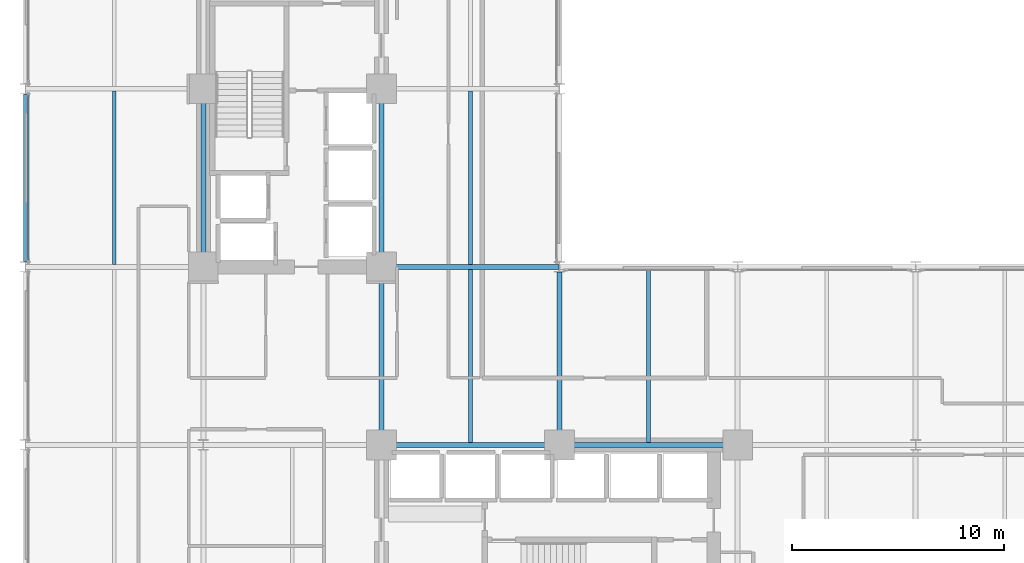
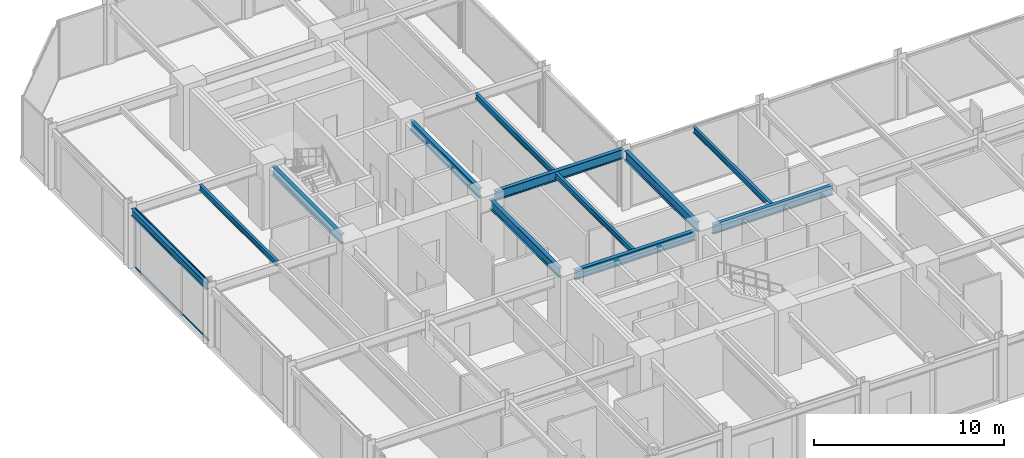
# One storey, part 9 of 26: 12 beams, 2 members, 1 element without a shape of its own.
"""IFC4 building model written with IfcOpenShell, lengths in metres."""

from ifc_helpers import new_model, si_unit, direction, frame, origin, origin_2d, place, context, subcontext, project, spatial, hollow_rectangle, i_section, extrude, material, layer, layer_set, material_profile, profile_set, type_object, element, aggregate, save


model = new_model("IFC4")

# Units and contexts
model_context = context("Model", 3, precision=1e-05, world=origin(), true_north=direction((0.0, 1.0)))
body_context = subcontext(model_context, "Body", "Model", "MODEL_VIEW")
ifc_project = project(units=[si_unit("LENGTHUNIT", "METRE"), si_unit("AREAUNIT", "SQUARE_METRE"), si_unit("VOLUMEUNIT", "CUBIC_METRE"), si_unit("PLANEANGLEUNIT", "RADIAN"), si_unit("MASSUNIT", "GRAM", prefix="KILO")], contexts=[model_context])

# Site, building, storey
site_placement = place(None, origin())
site = spatial("IfcSite", under=ifc_project, at=site_placement, CompositionType="ELEMENT")
building_placement = place(site_placement, origin())
building = spatial("IfcBuilding", under=site, at=building_placement, Name="Nerrivon Quay Data Exchange", CompositionType="ELEMENT")
storey_placement = place(building_placement, frame((0.0, 0.0, 75.199951171875)))
storey = spatial("IfcBuildingStorey", under=building, at=storey_placement, Name="L17", CompositionType="ELEMENT", Elevation=75.199951171875)

# Beams
ifc_material_1 = material(Name="Steel Grade 350", Category="steel")
ifc_material_profile_1 = material_profile(ifc_material_1, i_section(OverallWidth=0.22900390625, OverallDepth=0.612060546875, WebThickness=0.011962890625, FlangeThickness=0.01953125, FilletRadius=0.013916015625, at=origin_2d()), Name="610UB125")
ifc_profile_set_1 = profile_set([ifc_material_profile_1], Name="Steel Grade 350")
beam_type_1 = type_object("IfcBeamType", Name="BM-G1-610UB125", PredefinedType="BEAM", material=ifc_profile_set_1)
beam_1_placement = place(storey_placement, frame((17.340087890625, 16.800048828125, 3.5439453125), z_axis=(1.0, 0.0, 0.0), x_axis=(0.0, 1.0, 0.0)))
element("IfcBeam", 1, at=beam_1_placement, inside=storey, type_object=beam_type_1, Name="L17 EW Girder Y=16.8 (16.8..25.2)", PredefinedType="BEAM", context=body_context, shape_type="SweptSolid", body=[
    extrude(i_section(OverallWidth=0.22900390625, OverallDepth=0.612060546875, WebThickness=0.011962890625, FlangeThickness=0.01953125, FilletRadius=0.013916015625, at=origin_2d()), origin(), (0.0, 0.0, 1.0), 7.31982421875),
])
beam_2_placement = place(storey_placement, frame((25.739990234375, 16.800048828125, 3.5439453125), z_axis=(1.0, 0.0, 0.0), x_axis=(0.0, 1.0, 0.0)))
element("IfcBeam", 2, at=beam_2_placement, inside=storey, type_object=beam_type_1, Name="L17 EW Girder Y=16.8 (25.2..33.6)", PredefinedType="BEAM", context=body_context, shape_type="SweptSolid", body=[
    extrude(i_section(OverallWidth=0.22900390625, OverallDepth=0.612060546875, WebThickness=0.011962890625, FlangeThickness=0.01953125, FilletRadius=0.013916015625, at=origin_2d()), origin(), (0.0, 0.0, 1.0), 7.320068359375),
])
beam_3_placement = place(storey_placement, frame((17.340087890625, 25.199951171875, 3.5439453125), z_axis=(1.0, 0.0, 0.0), x_axis=(0.0, 1.0, 0.0)))
element("IfcBeam", 3, at=beam_3_placement, inside=storey, type_object=beam_type_1, Name="L17 EW Girder Y=25.2 (16.8..25.2)", PredefinedType="BEAM", context=body_context, shape_type="SweptSolid", body=[
    extrude(i_section(OverallWidth=0.22900390625, OverallDepth=0.612060546875, WebThickness=0.011962890625, FlangeThickness=0.01953125, FilletRadius=0.013916015625, at=origin_2d()), origin(), (0.0, 0.0, 1.0), 7.845947265625),
])
ifc_material_profile_2 = material_profile(ifc_material_1, i_section(OverallWidth=0.22802734375, OverallDepth=0.60205078125, WebThickness=0.010498046875, FlangeThickness=0.014892578125, FilletRadius=0.013916015625, at=origin_2d()), Name="610UB101")
ifc_profile_set_2 = profile_set([ifc_material_profile_2], Name="Steel Grade 350")
beam_type_2 = type_object("IfcBeamType", Name="BM-G2-610UB101", PredefinedType="BEAM", material=ifc_profile_set_2)
beam_4_placement = place(storey_placement, frame((8.39990234375, 25.739990234375, 3.549072265625), z_axis=(0.0, 1.0, 0.0), x_axis=(-1.0, 0.0, 0.0)))
element("IfcBeam", 4, at=beam_4_placement, inside=storey, type_object=beam_type_2, Name="L17 NS Girder X=8.4 (25.2..33.6)", PredefinedType="BEAM", context=body_context, shape_type="SweptSolid", body=[
    extrude(i_section(OverallWidth=0.22802734375, OverallDepth=0.60205078125, WebThickness=0.010498046875, FlangeThickness=0.014892578125, FilletRadius=0.013916015625, at=origin_2d()), origin(), (0.0, 0.0, 1.0), 7.320068359375),
])
beam_5_placement = place(storey_placement, frame((16.800048828125, 17.340087890625, 3.549072265625), z_axis=(0.0, 1.0, 0.0), x_axis=(-1.0, 0.0, 0.0)))
element("IfcBeam", 5, at=beam_5_placement, inside=storey, type_object=beam_type_2, Name="L17 NS Girder X=16.8 (16.8..25.2)", PredefinedType="BEAM", context=body_context, shape_type="SweptSolid", body=[
    extrude(i_section(OverallWidth=0.22802734375, OverallDepth=0.60205078125, WebThickness=0.010498046875, FlangeThickness=0.014892578125, FilletRadius=0.013916015625, at=origin_2d()), origin(), (0.0, 0.0, 1.0), 7.31982421875),
])
beam_6_placement = place(storey_placement, frame((16.800048828125, 25.739990234375, 3.549072265625), z_axis=(0.0, 1.0, 0.0), x_axis=(-1.0, 0.0, 0.0)))
element("IfcBeam", 6, at=beam_6_placement, inside=storey, type_object=beam_type_2, Name="L17 NS Girder X=16.8 (25.2..33.6)", PredefinedType="BEAM", context=body_context, shape_type="SweptSolid", body=[
    extrude(i_section(OverallWidth=0.22802734375, OverallDepth=0.60205078125, WebThickness=0.010498046875, FlangeThickness=0.014892578125, FilletRadius=0.013916015625, at=origin_2d()), origin(), (0.0, 0.0, 1.0), 7.320068359375),
])
beam_7_placement = place(storey_placement, frame((25.199951171875, 17.340087890625, 3.549072265625), z_axis=(0.0, 1.0, 0.0), x_axis=(-1.0, 0.0, 0.0)))
element("IfcBeam", 7, at=beam_7_placement, inside=storey, type_object=beam_type_2, Name="L17 NS Girder X=25.2 (16.8..25.2)", PredefinedType="BEAM", context=body_context, shape_type="SweptSolid", body=[
    extrude(i_section(OverallWidth=0.22802734375, OverallDepth=0.60205078125, WebThickness=0.010498046875, FlangeThickness=0.014892578125, FilletRadius=0.013916015625, at=origin_2d()), origin(), (0.0, 0.0, 1.0), 7.60986328125),
])
ifc_material_profile_3 = material_profile(ifc_material_1, i_section(OverallWidth=0.172119140625, OverallDepth=0.35888671875, WebThickness=0.008056640625, FlangeThickness=0.012939453125, FilletRadius=0.011474609375, at=origin_2d()), Name="360UB56.7")
ifc_profile_set_3 = profile_set([ifc_material_profile_3], Name="Steel Grade 350")
beam_type_3 = type_object("IfcBeamType", Name="BM-J3-360UB57", PredefinedType="JOIST", material=ifc_profile_set_3)
beam_8_placement = place(storey_placement, frame((4.199951171875, 25.314453125, 3.670654296875), z_axis=(0.0, 1.0, 0.0), x_axis=(-1.0, 0.0, 0.0)))
element("IfcBeam", 8, at=beam_8_placement, inside=storey, type_object=beam_type_3, Name="L17 Secondary Joist X=4.2 (25.2..33.6)", PredefinedType="JOIST", context=body_context, shape_type="SweptSolid", body=[
    extrude(i_section(OverallWidth=0.172119140625, OverallDepth=0.35888671875, WebThickness=0.008056640625, FlangeThickness=0.012939453125, FilletRadius=0.011474609375, at=origin_2d()), origin(), (0.0, 0.0, 1.0), 8.171142578125),
])
beam_9_placement = place(storey_placement, frame((21.0, 16.91455078125, 3.670654296875), z_axis=(0.0, 1.0, 0.0), x_axis=(-1.0, 0.0, 0.0)))
element("IfcBeam", 9, at=beam_9_placement, inside=storey, type_object=beam_type_3, Name="L17 Secondary Joist X=21.0 (16.8..25.2)", PredefinedType="JOIST", context=body_context, shape_type="SweptSolid", body=[
    extrude(i_section(OverallWidth=0.172119140625, OverallDepth=0.35888671875, WebThickness=0.008056640625, FlangeThickness=0.012939453125, FilletRadius=0.011474609375, at=origin_2d()), origin(), (0.0, 0.0, 1.0), 8.1708984375),
])
beam_10_placement = place(storey_placement, frame((21.0, 25.314453125, 3.670654296875), z_axis=(0.0, 1.0, 0.0), x_axis=(-1.0, 0.0, 0.0)))
element("IfcBeam", 10, at=beam_10_placement, inside=storey, type_object=beam_type_3, Name="L17 Secondary Joist X=21.0 (25.2..33.6)", PredefinedType="JOIST", context=body_context, shape_type="SweptSolid", body=[
    extrude(i_section(OverallWidth=0.172119140625, OverallDepth=0.35888671875, WebThickness=0.008056640625, FlangeThickness=0.012939453125, FilletRadius=0.011474609375, at=origin_2d()), origin(), (0.0, 0.0, 1.0), 8.171142578125),
])
beam_11_placement = place(storey_placement, frame((29.39990234375, 16.91455078125, 3.670654296875), z_axis=(0.0, 1.0, 0.0), x_axis=(-1.0, 0.0, 0.0)))
element("IfcBeam", 11, at=beam_11_placement, inside=storey, type_object=beam_type_3, Name="L17 Secondary Joist X=29.4 (16.8..25.2)", PredefinedType="JOIST", context=body_context, shape_type="SweptSolid", body=[
    extrude(i_section(OverallWidth=0.172119140625, OverallDepth=0.35888671875, WebThickness=0.008056640625, FlangeThickness=0.012939453125, FilletRadius=0.011474609375, at=origin_2d()), origin(), (0.0, 0.0, 1.0), 8.1708984375),
])
ifc_material_profile_4 = material_profile(ifc_material_1, i_section(OverallWidth=0.18994140625, OverallDepth=0.4541015625, WebThickness=0.008544921875, FlangeThickness=0.0126953125, FilletRadius=0.011474609375, at=origin_2d()), Name="460UB67.1")
ifc_profile_set_4 = profile_set([ifc_material_profile_4], Name="Steel Grade 350")
beam_type_4 = type_object("IfcBeamType", Name="BM-SP1-460UB67", PredefinedType="SPANDREL", material=ifc_profile_set_4)
beam_12_placement = place(storey_placement, frame((0.0, 25.449951171875, 3.623046875), z_axis=(0.0, 1.0, 0.0), x_axis=(-1.0, 0.0, 0.0)))
element("IfcBeam", 12, at=beam_12_placement, inside=storey, type_object=beam_type_4, Name="L17 NS Girder X=0.0 (25.2..33.6)", PredefinedType="SPANDREL", context=body_context, shape_type="SweptSolid", body=[
    extrude(i_section(OverallWidth=0.18994140625, OverallDepth=0.4541015625, WebThickness=0.008544921875, FlangeThickness=0.0126953125, FilletRadius=0.011474609375, at=origin_2d()), origin(), (0.0, 0.0, 1.0), 7.900146484375),
])

# Curtain wall, members
ifc_material_2 = material(Name="Anodised aluminium 6063-T6", Category="aluminium")
ifc_layer = layer(ifc_material_2, 0.219970703125)
ifc_layer_set = layer_set([ifc_layer], Name="Anodised aluminium 6063-T6")
curtain_wall_type = type_object("IfcCurtainWallType", Name="CW-SYS-01", PredefinedType="NOTDEFINED", material=ifc_layer_set)
curtain_wall_placement = place(storey_placement, origin())
curtain_wall = element("IfcCurtainWall", 13, at=curtain_wall_placement, inside=storey, type_object=curtain_wall_type, Name="L17 Unitised Curtain Wall 20", PredefinedType="NOTDEFINED")
ifc_material_profile_5 = material_profile(ifc_material_2, hollow_rectangle(XDim=0.06005859375, YDim=0.1201171875, WallThickness=0.003173828125, at=origin_2d()), Name="ALU-TRAN-120x60")
ifc_profile_set_5 = profile_set([ifc_material_profile_5], Name="Anodised aluminium 6063-T6")
member_type = type_object("IfcMemberType", Name="CWT-120x60", PredefinedType="USERDEFINED", material=ifc_profile_set_5)
member_1_placement = place(storey_placement, frame((0.139892578125, 25.52490234375, 0.032470703125), z_axis=(0.0, 1.0, 0.0), x_axis=(-1.0, 0.0, 0.0)))
member_1 = element("IfcMember", 14, at=member_1_placement, type_object=member_type, Name="CW01 transom 1.1", ObjectType="TRANSOM", PredefinedType="USERDEFINED", context=body_context, shape_type="SweptSolid", body=[
    extrude(hollow_rectangle(XDim=0.06005859375, YDim=0.1201171875, WallThickness=0.003173828125, at=origin_2d()), origin(), (0.0, 0.0, 1.0), 7.75),
])
member_2_placement = place(storey_placement, frame((0.139892578125, 25.52490234375, 3.817626953125), z_axis=(0.0, 1.0, 0.0), x_axis=(-1.0, 0.0, 0.0)))
member_2 = element("IfcMember", 15, at=member_2_placement, type_object=member_type, Name="CW01 transom 1.2", ObjectType="TRANSOM", PredefinedType="USERDEFINED", context=body_context, shape_type="SweptSolid", body=[
    extrude(hollow_rectangle(XDim=0.06005859375, YDim=0.1201171875, WallThickness=0.003173828125, at=origin_2d()), origin(), (0.0, 0.0, 1.0), 7.75),
])
aggregate(curtain_wall, [member_1, member_2])

save(model, "model.ifc")
